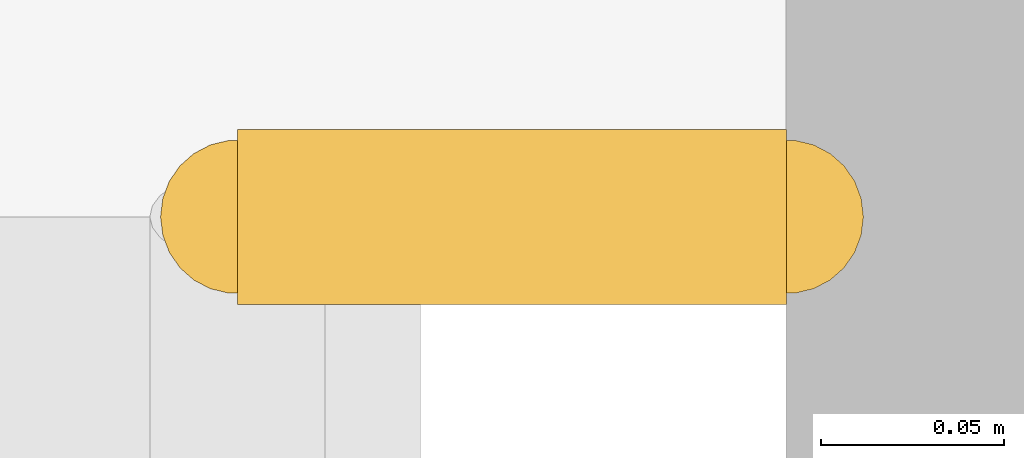
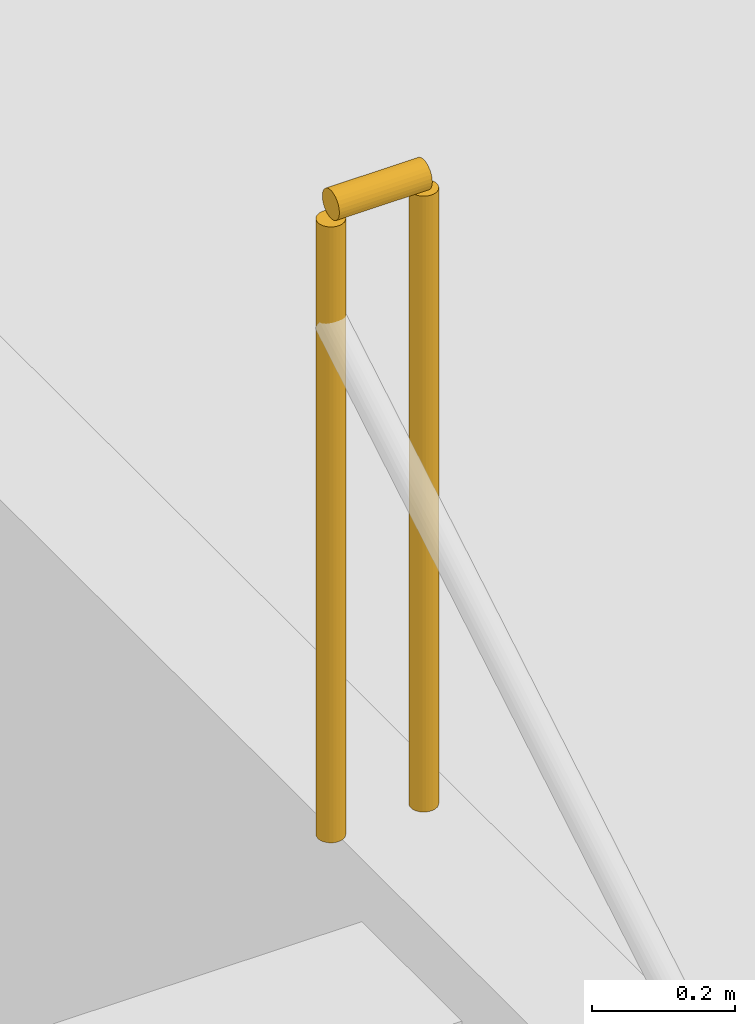
# One storey, part 27 of 30: 1 railing.
"""IFC4 building model written with IfcOpenShell, lengths in metres."""

from ifc_helpers import new_model, si_unit, direction, frame, origin, origin_2d, place, context, subcontext, project, spatial, circle, extrude, material, type_object, element, save


model = new_model("IFC4")

# Units and contexts
model_context = context("Model", 3, precision=1e-05, world=origin(), true_north=direction((0.0, 1.0)))
body_context = subcontext(model_context, "Body", "Model", "MODEL_VIEW")
ifc_project = project(units=[si_unit("LENGTHUNIT", "METRE"), si_unit("AREAUNIT", "SQUARE_METRE"), si_unit("VOLUMEUNIT", "CUBIC_METRE"), si_unit("PLANEANGLEUNIT", "RADIAN"), si_unit("MASSUNIT", "GRAM", prefix="KILO")], contexts=[model_context])

# Site, building, storey
site_placement = place(None, origin())
site = spatial("IfcSite", under=ifc_project, at=site_placement, CompositionType="ELEMENT")
building_placement = place(site_placement, origin())
building = spatial("IfcBuilding", under=site, at=building_placement, Name="Svetlomir Tower", CompositionType="ELEMENT")
storey_placement = place(building_placement, frame((0.0, 0.0, 11.0)))
storey = spatial("IfcBuildingStorey", under=building, at=storey_placement, Name="L02", CompositionType="ELEMENT", Elevation=11.0)

# Railing
ifc_material = material(Name="Painted steel balustrade", Category="steel")
railing_type = type_object("IfcRailingType", Name="STAIR WELL GUARD GR3 1100", PredefinedType="GUARDRAIL", material=ifc_material)
railing_placement = place(storey_placement, frame((10.449951171875, 18.0, 7.0)))
element("IfcRailing", 1, at=railing_placement, inside=storey, type_object=railing_type, Name="Stair P1 slot guard 2 L02", PredefinedType="GUARDRAIL", context=body_context, shape_type="SweptSolid", body=[
    extrude(circle(Radius=0.02392578125, at=origin_2d()), frame((0.0, 0.0, 1.076171875), z_axis=(1.0, 0.0, 0.0), x_axis=(0.0, 1.0, 0.0)), (0.0, 0.0, 1.0), 0.150146484375),
    extrude(circle(Radius=0.02099609375, at=origin_2d()), origin(), (0.0, 0.0, 1.0), 1.052001953125),
    extrude(circle(Radius=0.02099609375, at=origin_2d()), frame((0.150146484375, 0.0, 0.0)), (0.0, 0.0, 1.0), 1.052001953125),
])

save(model, "model.ifc")
